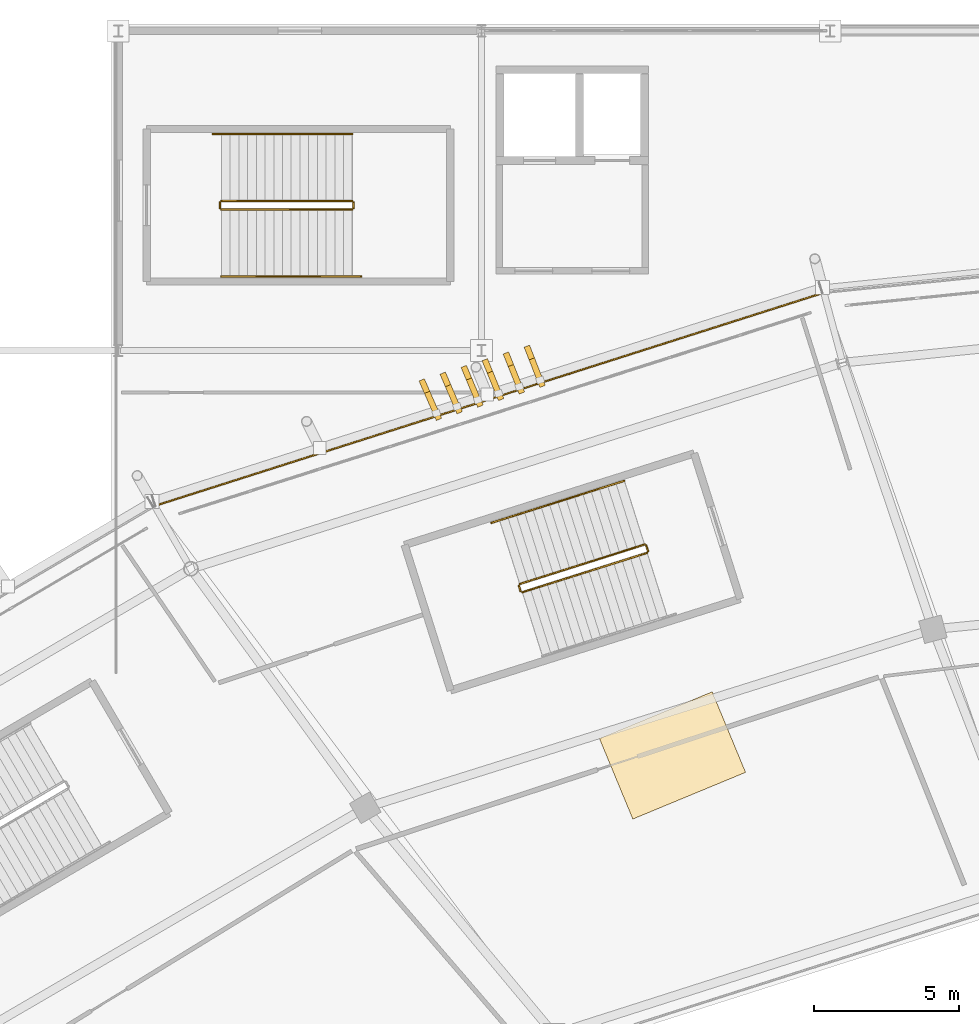
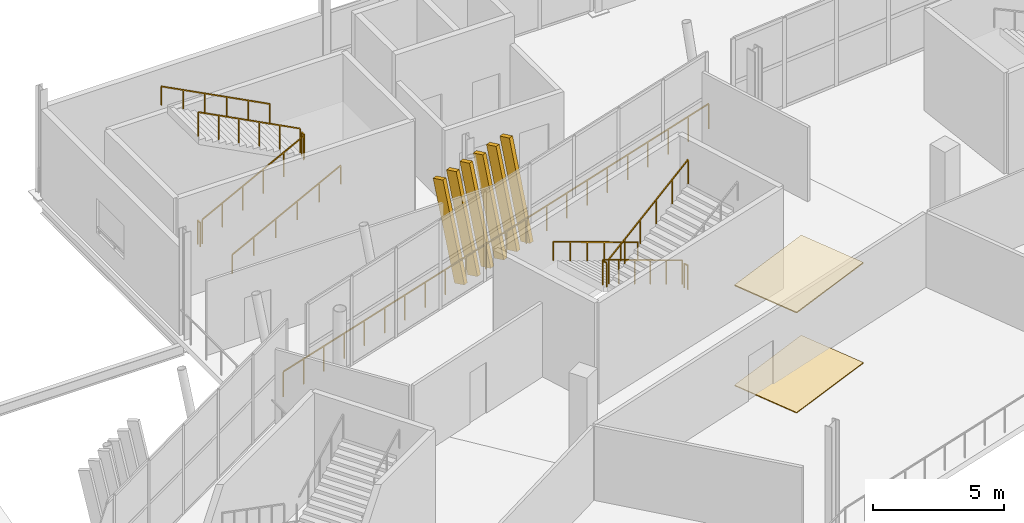
# One storey, part 174 of 179: 12 railings, 6 shading devices, 2 coverings.
"""IFC4 building model written with IfcOpenShell, lengths in metres."""

from ifc_helpers import new_model, si_unit, direction, frame, origin, origin_2d, place, context, subcontext, project, spatial, polyline, rectangle, outline, extrude, material, layer, layer_set, material_profile, profile_set, type_object, element, save


model = new_model("IFC4")

# Units and contexts
model_context = context("Model", 3, precision=1e-05, world=origin(), true_north=direction((0.0, 1.0)))
body_context = subcontext(model_context, "Body", "Model", "MODEL_VIEW")
ifc_project = project(units=[si_unit("LENGTHUNIT", "METRE"), si_unit("AREAUNIT", "SQUARE_METRE"), si_unit("VOLUMEUNIT", "CUBIC_METRE"), si_unit("PLANEANGLEUNIT", "RADIAN"), si_unit("MASSUNIT", "GRAM", prefix="KILO")], contexts=[model_context])

# Site, building, storey
site_placement = place(None, origin())
site = spatial("IfcSite", under=ifc_project, at=site_placement, CompositionType="ELEMENT")
building_placement = place(site_placement, origin())
building = spatial("IfcBuilding", under=site, at=building_placement, Name="Zlatoyarsky Gate Stadium", CompositionType="ELEMENT")
storey_placement = place(building_placement, frame((0.0, 0.0, 10.60009765625)))
storey = spatial("IfcBuildingStorey", under=building, at=storey_placement, Name="L02", CompositionType="ELEMENT", Elevation=10.60009765625)

# Railings
ifc_material_1 = material(Name="Powder-coated steel tubular guardrail", Category="steel")
railing_type_1 = type_object("IfcRailingType", Name="CONCOURSE SLAB EDGE GUARDRAIL 1200", PredefinedType="GUARDRAIL", material=ifc_material_1)
railing_1_placement = place(storey_placement, frame((86.28369140625, 150.99169921875, 0.0)))
element("IfcRailing", 1, at=railing_1_placement, inside=storey, type_object=railing_type_1, Name="L02 outer slab edge guardrail 07", PredefinedType="GUARDRAIL", context=body_context, shape_type="SweptSolid", body=[
    extrude(rectangle(XDim=0.048095703125, YDim=0.048095703125, at=origin_2d()), frame((0.0, 0.0, 1.17578125), z_axis=(-0.952757314357, -0.30373261257, 0.0), x_axis=(0.30373261257, -0.952757314357, 0.0)), (0.0, 0.0, 1.0), 24.173583984375),
    extrude(rectangle(XDim=0.0419921875, YDim=0.0419921875, at=origin_2d()), origin(), (0.0, 0.0, 1.0), 1.15185546875),
    extrude(rectangle(XDim=0.0419921875, YDim=0.0419921875, at=origin_2d()), frame((-1.0966796875, -0.349609375, 0.0)), (0.0, 0.0, 1.0), 1.15185546875),
    extrude(rectangle(XDim=0.0419921875, YDim=0.0419921875, at=origin_2d()), frame((-2.193359375, -0.69921875, 0.0)), (0.0, 0.0, 1.0), 1.15185546875),
    extrude(rectangle(XDim=0.0419921875, YDim=0.0419921875, at=origin_2d()), frame((-3.290283203125, -1.048828125, 0.0)), (0.0, 0.0, 1.0), 1.15185546875),
    extrude(rectangle(XDim=0.0419921875, YDim=0.0419921875, at=origin_2d()), frame((-4.386962890625, -1.3984375, 0.0)), (0.0, 0.0, 1.0), 1.15185546875),
    extrude(rectangle(XDim=0.0419921875, YDim=0.0419921875, at=origin_2d()), frame((-5.483642578125, -1.748046875, 0.0)), (0.0, 0.0, 1.0), 1.15185546875),
    extrude(rectangle(XDim=0.0419921875, YDim=0.0419921875, at=origin_2d()), frame((-6.580322265625, -2.097900390625, 0.0)), (0.0, 0.0, 1.0), 1.15185546875),
    extrude(rectangle(XDim=0.0419921875, YDim=0.0419921875, at=origin_2d()), frame((-7.67724609375, -2.447509765625, 0.0)), (0.0, 0.0, 1.0), 1.15185546875),
    extrude(rectangle(XDim=0.0419921875, YDim=0.0419921875, at=origin_2d()), frame((-8.77392578125, -2.797119140625, 0.0)), (0.0, 0.0, 1.0), 1.15185546875),
    extrude(rectangle(XDim=0.0419921875, YDim=0.0419921875, at=origin_2d()), frame((-9.87060546875, -3.146728515625, 0.0)), (0.0, 0.0, 1.0), 1.15185546875),
    extrude(rectangle(XDim=0.0419921875, YDim=0.0419921875, at=origin_2d()), frame((-10.96728515625, -3.496337890625, 0.0)), (0.0, 0.0, 1.0), 1.15185546875),
    extrude(rectangle(XDim=0.0419921875, YDim=0.0419921875, at=origin_2d()), frame((-12.064208984375, -3.845947265625, 0.0)), (0.0, 0.0, 1.0), 1.15185546875),
    extrude(rectangle(XDim=0.0419921875, YDim=0.0419921875, at=origin_2d()), frame((-13.160888671875, -4.195556640625, 0.0)), (0.0, 0.0, 1.0), 1.15185546875),
    extrude(rectangle(XDim=0.0419921875, YDim=0.0419921875, at=origin_2d()), frame((-14.257568359375, -4.545166015625, 0.0)), (0.0, 0.0, 1.0), 1.15185546875),
    extrude(rectangle(XDim=0.0419921875, YDim=0.0419921875, at=origin_2d()), frame((-15.354248046875, -4.894775390625, 0.0)), (0.0, 0.0, 1.0), 1.15185546875),
    extrude(rectangle(XDim=0.0419921875, YDim=0.0419921875, at=origin_2d()), frame((-16.451171875, -5.244384765625, 0.0)), (0.0, 0.0, 1.0), 1.15185546875),
    extrude(rectangle(XDim=0.0419921875, YDim=0.0419921875, at=origin_2d()), frame((-17.5478515625, -5.59423828125, 0.0)), (0.0, 0.0, 1.0), 1.15185546875),
    extrude(rectangle(XDim=0.0419921875, YDim=0.0419921875, at=origin_2d()), frame((-18.64453125, -5.94384765625, 0.0)), (0.0, 0.0, 1.0), 1.15185546875),
    extrude(rectangle(XDim=0.0419921875, YDim=0.0419921875, at=origin_2d()), frame((-19.7412109375, -6.29345703125, 0.0)), (0.0, 0.0, 1.0), 1.15185546875),
    extrude(rectangle(XDim=0.0419921875, YDim=0.0419921875, at=origin_2d()), frame((-20.838134765625, -6.64306640625, 0.0)), (0.0, 0.0, 1.0), 1.15185546875),
    extrude(rectangle(XDim=0.0419921875, YDim=0.0419921875, at=origin_2d()), frame((-21.934814453125, -6.99267578125, 0.0)), (0.0, 0.0, 1.0), 1.15185546875),
    extrude(rectangle(XDim=0.0419921875, YDim=0.0419921875, at=origin_2d()), frame((-23.031494140625, -7.34228515625, 0.0)), (0.0, 0.0, 1.0), 1.15185546875),
])
ifc_material_2 = material(Name="Powder-coated steel stair guardrail", Category="steel")
railing_type_2 = type_object("IfcRailingType", Name="PAINTED STEEL STAIR WELL GUARDRAIL 1150", PredefinedType="GUARDRAIL", material=ifc_material_2)
railing_2_placement = place(storey_placement, frame((80.108642578125, 142.321533203125, 0.15625)))
element("IfcRailing", 2, at=railing_2_placement, inside=storey, type_object=railing_type_2, Name="ST-14 L02 stair guard 1", PredefinedType="GUARDRAIL", context=body_context, shape_type="SweptSolid", body=[
    extrude(rectangle(XDim=0.048095703125, YDim=0.048095703125, at=origin_2d()), frame((0.0, 0.0, 1.1259765625), z_axis=(-0.845655031246, -0.26738577574, 0.461922520624), x_axis=(0.301476673217, -0.953473552599, 0.0)), (0.0, 0.0, 1.0), 5.073974609375),
    extrude(rectangle(XDim=0.0419921875, YDim=0.0419921875, at=origin_2d()), origin(), (0.0, 0.0, 1.0), 1.101806640625),
    extrude(rectangle(XDim=0.0419921875, YDim=0.0419921875, at=origin_2d()), frame((-0.858154296875, -0.271240234375, 0.46875)), (0.0, 0.0, 1.0), 1.101806640625),
    extrude(rectangle(XDim=0.0419921875, YDim=0.0419921875, at=origin_2d()), frame((-1.71630859375, -0.542724609375, 0.9375)), (0.0, 0.0, 1.0), 1.101806640625),
    extrude(rectangle(XDim=0.0419921875, YDim=0.0419921875, at=origin_2d()), frame((-2.574462890625, -0.81396484375, 1.40625)), (0.0, 0.0, 1.0), 1.101806640625),
    extrude(rectangle(XDim=0.0419921875, YDim=0.0419921875, at=origin_2d()), frame((-3.4326171875, -1.08544921875, 1.875)), (0.0, 0.0, 1.0), 1.101806640625),
    extrude(rectangle(XDim=0.0419921875, YDim=0.0419921875, at=origin_2d()), frame((-4.290771484375, -1.356689453125, 2.34375)), (0.0, 0.0, 1.0), 1.101806640625),
])
railing_3_placement = place(storey_placement, frame((75.785400390625, 140.902099609375, 2.5)))
element("IfcRailing", 3, at=railing_3_placement, inside=storey, type_object=railing_type_2, Name="ST-14 L02 stair guard 2", PredefinedType="GUARDRAIL", context=body_context, shape_type="SweptSolid", body=[
    extrude(rectangle(XDim=0.048095703125, YDim=0.048095703125, at=origin_2d()), frame((0.0, 0.0, 1.1259765625), z_axis=(0.301540327315, -0.953453423615, 0.0), x_axis=(0.953453423615, 0.301540327315, 0.0)), (0.0, 0.0, 1.0), 0.199951171875),
    extrude(rectangle(XDim=0.0419921875, YDim=0.0419921875, at=origin_2d()), origin(), (0.0, 0.0, 1.0), 1.101806640625),
    extrude(rectangle(XDim=0.0419921875, YDim=0.0419921875, at=origin_2d()), frame((0.060302734375, -0.190673828125, 0.0)), (0.0, 0.0, 1.0), 1.101806640625),
])
railing_4_placement = place(storey_placement, frame((75.908447265625, 140.6787109375, 2.65625)))
element("IfcRailing", 4, at=railing_4_placement, inside=storey, type_object=railing_type_2, Name="ST-14 L02 stair guard 3", PredefinedType="GUARDRAIL", context=body_context, shape_type="SweptSolid", body=[
    extrude(rectangle(XDim=0.048095703125, YDim=0.048095703125, at=origin_2d()), frame((0.0, 0.0, 1.1259765625), z_axis=(0.845630441965, 0.267441333586, 0.461935372873), x_axis=(-0.301541590324, 0.953453024173, 0.0)), (0.0, 0.0, 1.0), 5.07373046875),
    extrude(rectangle(XDim=0.0419921875, YDim=0.0419921875, at=origin_2d()), origin(), (0.0, 0.0, 1.0), 1.101806640625),
    extrude(rectangle(XDim=0.0419921875, YDim=0.0419921875, at=origin_2d()), frame((0.858154296875, 0.271484375, 0.46875)), (0.0, 0.0, 1.0), 1.101806640625),
    extrude(rectangle(XDim=0.0419921875, YDim=0.0419921875, at=origin_2d()), frame((1.71630859375, 0.542724609375, 0.9375)), (0.0, 0.0, 1.0), 1.101806640625),
    extrude(rectangle(XDim=0.0419921875, YDim=0.0419921875, at=origin_2d()), frame((2.57421875, 0.814208984375, 1.40625)), (0.0, 0.0, 1.0), 1.101806640625),
    extrude(rectangle(XDim=0.0419921875, YDim=0.0419921875, at=origin_2d()), frame((3.432373046875, 1.08544921875, 1.875)), (0.0, 0.0, 1.0), 1.101806640625),
    extrude(rectangle(XDim=0.0419921875, YDim=0.0419921875, at=origin_2d()), frame((4.29052734375, 1.35693359375, 2.34375)), (0.0, 0.0, 1.0), 1.101806640625),
])
railing_5_placement = place(storey_placement, frame((80.17138671875, 142.2890625, 0.0)))
element("IfcRailing", 5, at=railing_5_placement, inside=storey, type_object=railing_type_2, Name="ST-14 L02 stair guard 4", PredefinedType="GUARDRAIL", context=body_context, shape_type="SweptSolid", body=[
    extrude(rectangle(XDim=0.048095703125, YDim=0.048095703125, at=origin_2d()), frame((0.0, 0.0, 1.1259765625), z_axis=(0.301540327315, -0.953453423615, 0.0), x_axis=(0.953453423615, 0.301540327315, 0.0)), (0.0, 0.0, 1.0), 0.199951171875),
    extrude(rectangle(XDim=0.0419921875, YDim=0.0419921875, at=origin_2d()), origin(), (0.0, 0.0, 1.0), 1.101806640625),
    extrude(rectangle(XDim=0.0419921875, YDim=0.0419921875, at=origin_2d()), frame((0.060302734375, -0.190673828125, 0.0)), (0.0, 0.0, 1.0), 1.101806640625),
])
railing_6_placement = place(storey_placement, frame((65.550048828125, 153.85009765625, 0.15625)))
element("IfcRailing", 6, at=railing_6_placement, inside=storey, type_object=railing_type_2, Name="ST-31 L02 stair guard 1", PredefinedType="GUARDRAIL", context=body_context, shape_type="SweptSolid", body=[
    extrude(rectangle(XDim=0.048095703125, YDim=0.048095703125, at=origin_2d()), frame((0.0, 0.0, 1.1259765625), z_axis=(0.886914084167, 0.0, 0.461934418837), x_axis=(0.0, 1.0, 0.0)), (0.0, 0.0, 1.0), 5.07373046875),
    extrude(rectangle(XDim=0.0419921875, YDim=0.0419921875, at=origin_2d()), origin(), (0.0, 0.0, 1.0), 1.101806640625),
    extrude(rectangle(XDim=0.0419921875, YDim=0.0419921875, at=origin_2d()), frame((0.89990234375, 0.0, 0.46875)), (0.0, 0.0, 1.0), 1.101806640625),
    extrude(rectangle(XDim=0.0419921875, YDim=0.0419921875, at=origin_2d()), frame((1.800048828125, 0.0, 0.9375)), (0.0, 0.0, 1.0), 1.101806640625),
    extrude(rectangle(XDim=0.0419921875, YDim=0.0419921875, at=origin_2d()), frame((2.699951171875, 0.0, 1.40625)), (0.0, 0.0, 1.0), 1.101806640625),
    extrude(rectangle(XDim=0.0419921875, YDim=0.0419921875, at=origin_2d()), frame((3.60009765625, 0.0, 1.875)), (0.0, 0.0, 1.0), 1.101806640625),
    extrude(rectangle(XDim=0.0419921875, YDim=0.0419921875, at=origin_2d()), frame((4.5, 0.0, 2.34375)), (0.0, 0.0, 1.0), 1.101806640625),
])
railing_7_placement = place(storey_placement, frame((70.10009765625, 153.89990234375, 2.5)))
element("IfcRailing", 7, at=railing_7_placement, inside=storey, type_object=railing_type_2, Name="ST-31 L02 stair guard 2", PredefinedType="GUARDRAIL", context=body_context, shape_type="SweptSolid", body=[
    extrude(rectangle(XDim=0.048095703125, YDim=0.048095703125, at=origin_2d()), frame((0.0, 0.0, 1.1259765625), z_axis=(0.0, 1.0, 0.0), x_axis=(-1.0, 0.0, 0.0)), (0.0, 0.0, 1.0), 0.2001953125),
    extrude(rectangle(XDim=0.0419921875, YDim=0.0419921875, at=origin_2d()), origin(), (0.0, 0.0, 1.0), 1.101806640625),
    extrude(rectangle(XDim=0.0419921875, YDim=0.0419921875, at=origin_2d()), frame((0.0, 0.2001953125, 0.0)), (0.0, 0.0, 1.0), 1.101806640625),
])
railing_8_placement = place(storey_placement, frame((70.050048828125, 154.14990234375, 2.65625)))
element("IfcRailing", 8, at=railing_8_placement, inside=storey, type_object=railing_type_2, Name="ST-31 L02 stair guard 3", PredefinedType="GUARDRAIL", context=body_context, shape_type="SweptSolid", body=[
    extrude(rectangle(XDim=0.048095703125, YDim=0.048095703125, at=origin_2d()), frame((0.0, 0.0, 1.1259765625), z_axis=(-0.886914084167, 0.0, 0.461934418837), x_axis=(0.0, -1.0, 0.0)), (0.0, 0.0, 1.0), 5.07373046875),
    extrude(rectangle(XDim=0.0419921875, YDim=0.0419921875, at=origin_2d()), origin(), (0.0, 0.0, 1.0), 1.101806640625),
    extrude(rectangle(XDim=0.0419921875, YDim=0.0419921875, at=origin_2d()), frame((-0.89990234375, 0.0, 0.46875)), (0.0, 0.0, 1.0), 1.101806640625),
    extrude(rectangle(XDim=0.0419921875, YDim=0.0419921875, at=origin_2d()), frame((-1.800048828125, 0.0, 0.9375)), (0.0, 0.0, 1.0), 1.101806640625),
    extrude(rectangle(XDim=0.0419921875, YDim=0.0419921875, at=origin_2d()), frame((-2.699951171875, 0.0, 1.40625)), (0.0, 0.0, 1.0), 1.101806640625),
    extrude(rectangle(XDim=0.0419921875, YDim=0.0419921875, at=origin_2d()), frame((-3.60009765625, 0.0, 1.875)), (0.0, 0.0, 1.0), 1.101806640625),
    extrude(rectangle(XDim=0.0419921875, YDim=0.0419921875, at=origin_2d()), frame((-4.5, 0.0, 2.34375)), (0.0, 0.0, 1.0), 1.101806640625),
])
railing_9_placement = place(storey_placement, frame((65.5, 153.89990234375, 0.0)))
element("IfcRailing", 9, at=railing_9_placement, inside=storey, type_object=railing_type_2, Name="ST-31 L02 stair guard 4", PredefinedType="GUARDRAIL", context=body_context, shape_type="SweptSolid", body=[
    extrude(rectangle(XDim=0.048095703125, YDim=0.048095703125, at=origin_2d()), frame((0.0, 0.0, 1.1259765625), z_axis=(0.0, 1.0, 0.0), x_axis=(-1.0, 0.0, 0.0)), (0.0, 0.0, 1.0), 0.2001953125),
    extrude(rectangle(XDim=0.0419921875, YDim=0.0419921875, at=origin_2d()), origin(), (0.0, 0.0, 1.0), 1.101806640625),
    extrude(rectangle(XDim=0.0419921875, YDim=0.0419921875, at=origin_2d()), frame((0.0, 0.2001953125, 0.0)), (0.0, 0.0, 1.0), 1.101806640625),
])

# Coverings
ifc_material_3 = material(Name="Perforated anodised aluminium acoustic ceiling", Category="aluminium")
ifc_layer_1 = layer(ifc_material_3, 0.050048828125)
ifc_layer_set_1 = layer_set([ifc_layer_1], Name="Perforated anodised aluminium acoustic ceiling")
covering_type_1 = type_object("IfcCoveringType", Name="PERFORATED ACOUSTIC BAFFLE CEILING 50", PredefinedType="CEILING", material=ifc_layer_set_1)
covering_1_placement = place(storey_placement, frame((0.0, 0.0, 4.669921875)))
element("IfcCovering", 10, at=covering_1_placement, inside=storey, type_object=covering_type_1, Name="L02 hospitality acoustic ceiling 03", PredefinedType="CEILING", context=body_context, shape_type="SweptSolid", body=[
    extrude(outline(polyline([(83.588134765625, 134.480712890625), (79.7080078125, 132.87353515625), (78.559814453125, 135.645263671875), (82.440185546875, 137.25244140625), (83.588134765625, 134.480712890625)])), origin(), (0.0, 0.0, 1.0), 0.050048828125),
])
ifc_material_4 = material(Name="Polished granite stone flooring", Category="masonry")
ifc_layer_2 = layer(ifc_material_4, 0.0400390625)
ifc_layer_set_2 = layer_set([ifc_layer_2], Name="Polished granite stone flooring")
covering_type_2 = type_object("IfcCoveringType", Name="POLISHED GRANITE CONCOURSE FLOORING 40", PredefinedType="FLOORING", material=ifc_layer_set_2)
covering_2_placement = place(storey_placement, origin())
element("IfcCovering", 11, at=covering_2_placement, inside=storey, type_object=covering_type_2, Name="L02 hospitality concourse granite flooring 03", PredefinedType="FLOORING", context=body_context, shape_type="SweptSolid", body=[
    extrude(outline(polyline([(83.588134765625, 134.480712890625), (79.7080078125, 132.87353515625), (78.559814453125, 135.645263671875), (82.440185546875, 137.25244140625), (83.588134765625, 134.480712890625)])), origin(), (0.0, 0.0, 1.0), 0.039794921875),
])

# Shading devices
ifc_material_5 = material(Name="Precast concrete C40/50 stone-toned architectural rib", Category="masonry")
ifc_material_profile = material_profile(ifc_material_5, rectangle(XDim=0.199951171875, YDim=0.47998046875, at=origin_2d()), Name="RIB 200X480")
ifc_profile_set = profile_set([ifc_material_profile], Name="Precast concrete C40/50 stone-toned architectural rib")
shading_device_type = type_object("IfcShadingDeviceType", Name="PRECAST FLUTED GATE LOUVRE BLADE 200X480", PredefinedType="SHUTTER", material=ifc_profile_set)
for number, where, z_axis, x_axis, name in (
    (12, (76.516357421875, 147.981689453125, -0.010009765625), (-0.080616086407, 0.206349547474, 0.975151737357), (-0.931440835092, -0.363892801142, 0.0), "Leaning bowl louvre fin L02-07-1"),
    (13, (75.802001953125, 147.75390625, -0.010009765625), (-0.082316934655, 0.205659481674, 0.975155423441), (-0.928393945413, -0.371597473242, 0.0), "Leaning bowl louvre fin L02-07-2"),
):
    element("IfcShadingDevice", number, at=place(storey_placement, frame(where, z_axis=z_axis, x_axis=x_axis)), inside=storey, type_object=shading_device_type, Name=name, PredefinedType="SHUTTER", context=body_context, shape_type="SweptSolid", body=[
        extrude(rectangle(XDim=0.199951171875, YDim=0.47998046875, at=origin_2d()), origin(), (0.0, 0.0, 1.0), 4.59423828125),
    ])
for number, where, z_axis, x_axis, name in (
    (14, (75.08740234375, 147.52587890625, -0.010009765625), (-0.083964745462, 0.204969634965, 0.975160176721), (-0.925367231354, -0.37907187595, 0.0), "Leaning bowl louvre fin L02-07-3"),
    (15, (74.372802734375, 147.298095703125, -0.010009765625), (-0.085612299124, 0.204279129629, 0.975161818078), (-0.922279926191, -0.386522622553, 0.0), "Leaning bowl louvre fin L02-07-4"),
    (16, (73.658203125, 147.0703125, -0.010009765625), (-0.087259579866, 0.203587972269, 0.975160347465), (-0.919132619919, -0.393948254217, 0.0), "Leaning bowl louvre fin L02-07-5"),
):
    element("IfcShadingDevice", number, at=place(storey_placement, frame(where, z_axis=z_axis, x_axis=x_axis)), inside=storey, type_object=shading_device_type, Name=name, PredefinedType="SHUTTER", context=body_context, shape_type="SweptSolid", body=[
        extrude(rectangle(XDim=0.199951171875, YDim=0.47998046875, at=origin_2d()), origin(), (0.0, 0.0, 1.0), 4.593994140625),
    ])
shading_device_placement = place(storey_placement, frame((72.943603515625, 146.84228515625, -0.010009765625), z_axis=(-0.088906571919, 0.202896169509, 0.975155764926), x_axis=(-0.915925937658, -0.401347326795, 0.0)))
element("IfcShadingDevice", 17, at=shading_device_placement, inside=storey, type_object=shading_device_type, Name="Leaning bowl louvre fin L02-07-6", PredefinedType="SHUTTER", context=body_context, shape_type="SweptSolid", body=[
    extrude(rectangle(XDim=0.199951171875, YDim=0.47998046875, at=origin_2d()), origin(), (0.0, 0.0, 1.0), 4.59423828125),
])

# Railings
ifc_material_6 = material(Name="Brushed stainless steel 316 handrail", Category="steel")
railing_type_3 = type_object("IfcRailingType", Name="STAINLESS STEEL TUBULAR HANDRAIL 900", PredefinedType="HANDRAIL", material=ifc_material_6)
railing_10_placement = place(storey_placement, frame((79.4150390625, 144.5146484375, 0.16015625)))
element("IfcRailing", 18, at=railing_10_placement, inside=storey, type_object=railing_type_3, Name="ST-14 L02 stair handrail 1", PredefinedType="HANDRAIL", context=body_context, shape_type="SweptSolid", body=[
    extrude(rectangle(XDim=0.048095703125, YDim=0.048095703125, at=origin_2d()), frame((0.0, 0.0, 0.8759765625), z_axis=(-0.845641023653, -0.267414914553, 0.461931296395), x_axis=(0.301511080938, -0.953462672616, 0.0)), (0.0, 0.0, 1.0), 5.412109375),
    extrude(rectangle(XDim=0.0419921875, YDim=0.0419921875, at=origin_2d()), origin(), (0.0, 0.0, 1.0), 0.851806640625),
    extrude(rectangle(XDim=0.0419921875, YDim=0.0419921875, at=origin_2d()), frame((-0.915283203125, -0.28955078125, 0.5)), (0.0, 0.0, 1.0), 0.851806640625),
    extrude(rectangle(XDim=0.0419921875, YDim=0.0419921875, at=origin_2d()), frame((-1.83056640625, -0.578857421875, 1.0)), (0.0, 0.0, 1.0), 0.851806640625),
    extrude(rectangle(XDim=0.0419921875, YDim=0.0419921875, at=origin_2d()), frame((-2.74609375, -0.868408203125, 1.5)), (0.0, 0.0, 1.0), 0.851806640625),
    extrude(rectangle(XDim=0.0419921875, YDim=0.0419921875, at=origin_2d()), frame((-3.661376953125, -1.15771484375, 2.0)), (0.0, 0.0, 1.0), 0.851806640625),
    extrude(rectangle(XDim=0.0419921875, YDim=0.0419921875, at=origin_2d()), frame((-4.57666015625, -1.447265625, 2.5)), (0.0, 0.0, 1.0), 0.851806640625),
])
railing_11_placement = place(storey_placement, frame((65.550048828125, 151.550048828125, 0.16015625)))
element("IfcRailing", 19, at=railing_11_placement, inside=storey, type_object=railing_type_3, Name="ST-31 L02 stair handrail 1", PredefinedType="HANDRAIL", context=body_context, shape_type="SweptSolid", body=[
    extrude(rectangle(XDim=0.048095703125, YDim=0.048095703125, at=origin_2d()), frame((0.0, 0.0, 0.8759765625), z_axis=(0.886916009322, 0.0, 0.46193072252), x_axis=(0.0, 1.0, 0.0)), (0.0, 0.0, 1.0), 5.412109375),
    extrude(rectangle(XDim=0.0419921875, YDim=0.0419921875, at=origin_2d()), origin(), (0.0, 0.0, 1.0), 0.851806640625),
    extrude(rectangle(XDim=0.0419921875, YDim=0.0419921875, at=origin_2d()), frame((0.9599609375, 0.0, 0.5)), (0.0, 0.0, 1.0), 0.851806640625),
    extrude(rectangle(XDim=0.0419921875, YDim=0.0419921875, at=origin_2d()), frame((1.919921875, 0.0, 1.0)), (0.0, 0.0, 1.0), 0.851806640625),
    extrude(rectangle(XDim=0.0419921875, YDim=0.0419921875, at=origin_2d()), frame((2.880126953125, 0.0, 1.5)), (0.0, 0.0, 1.0), 0.851806640625),
    extrude(rectangle(XDim=0.0419921875, YDim=0.0419921875, at=origin_2d()), frame((3.840087890625, 0.0, 2.0)), (0.0, 0.0, 1.0), 0.851806640625),
    extrude(rectangle(XDim=0.0419921875, YDim=0.0419921875, at=origin_2d()), frame((4.800048828125, 0.0, 2.5)), (0.0, 0.0, 1.0), 0.851806640625),
])
railing_12_placement = place(storey_placement, frame((70.050048828125, 156.449951171875, 2.66015625)))
element("IfcRailing", 20, at=railing_12_placement, inside=storey, type_object=railing_type_3, Name="ST-31 L02 stair handrail 2", PredefinedType="HANDRAIL", context=body_context, shape_type="SweptSolid", body=[
    extrude(rectangle(XDim=0.048095703125, YDim=0.048095703125, at=origin_2d()), frame((0.0, 0.0, 0.8759765625), z_axis=(-0.886916009322, 0.0, 0.46193072252), x_axis=(0.0, -1.0, 0.0)), (0.0, 0.0, 1.0), 5.412109375),
    extrude(rectangle(XDim=0.0419921875, YDim=0.0419921875, at=origin_2d()), origin(), (0.0, 0.0, 1.0), 0.851806640625),
    extrude(rectangle(XDim=0.0419921875, YDim=0.0419921875, at=origin_2d()), frame((-0.9599609375, 0.0, 0.5)), (0.0, 0.0, 1.0), 0.851806640625),
    extrude(rectangle(XDim=0.0419921875, YDim=0.0419921875, at=origin_2d()), frame((-1.919921875, 0.0, 1.0)), (0.0, 0.0, 1.0), 0.851806640625),
    extrude(rectangle(XDim=0.0419921875, YDim=0.0419921875, at=origin_2d()), frame((-2.880126953125, 0.0, 1.5)), (0.0, 0.0, 1.0), 0.851806640625),
    extrude(rectangle(XDim=0.0419921875, YDim=0.0419921875, at=origin_2d()), frame((-3.840087890625, 0.0, 2.0)), (0.0, 0.0, 1.0), 0.851806640625),
    extrude(rectangle(XDim=0.0419921875, YDim=0.0419921875, at=origin_2d()), frame((-4.800048828125, 0.0, 2.5)), (0.0, 0.0, 1.0), 0.851806640625),
])

save(model, "model.ifc")
